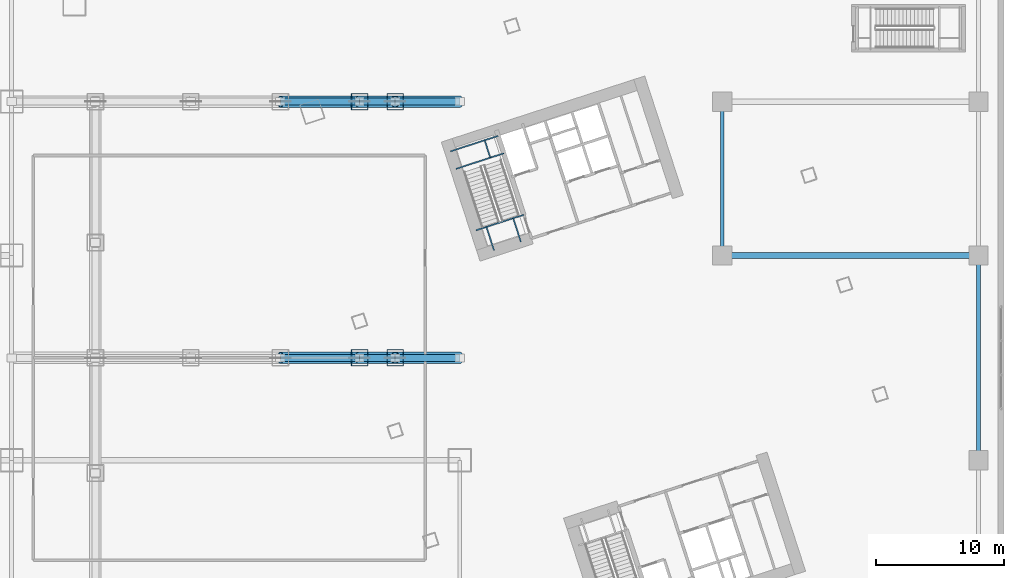
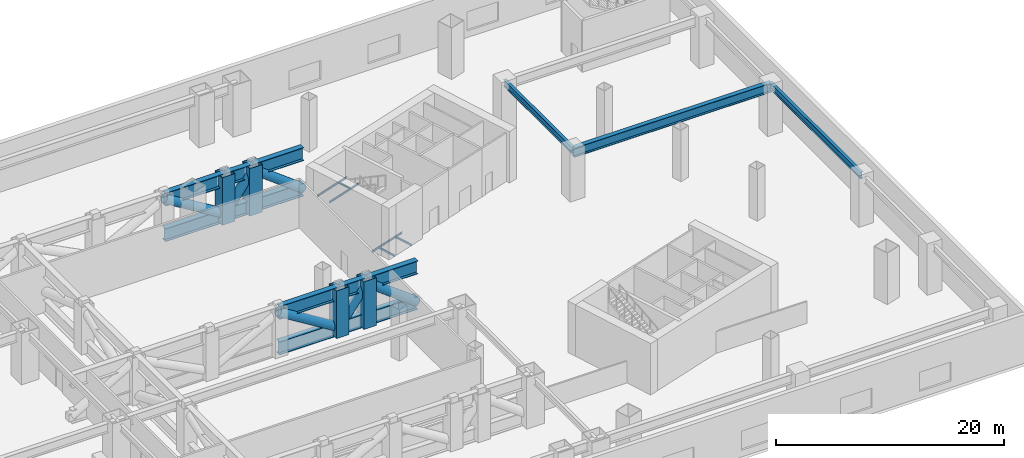
# One storey, part 15 of 34: 21 beams, 10 members.
"""IFC4 building model written with IfcOpenShell, lengths in metres."""

from ifc_helpers import new_model, si_unit, direction, frame, origin, origin_2d, place, context, subcontext, project, spatial, hollow_rectangle, hollow_circle, i_section, extrude, material, material_profile, profile_set, type_object, element, save


model = new_model("IFC4")

# Units and contexts
model_context = context("Model", 3, precision=1e-05, world=origin(), true_north=direction((0.0, 1.0)))
body_context = subcontext(model_context, "Body", "Model", "MODEL_VIEW")
ifc_project = project(units=[si_unit("LENGTHUNIT", "METRE"), si_unit("AREAUNIT", "SQUARE_METRE"), si_unit("VOLUMEUNIT", "CUBIC_METRE"), si_unit("PLANEANGLEUNIT", "RADIAN"), si_unit("MASSUNIT", "GRAM", prefix="KILO")], contexts=[model_context])

# Site, building, storey
site_placement = place(None, origin())
site = spatial("IfcSite", under=ifc_project, at=site_placement, CompositionType="ELEMENT")
building_placement = place(site_placement, origin())
building = spatial("IfcBuilding", under=site, at=building_placement, Name="Qiaolan Cultural Towers", CompositionType="ELEMENT")
storey_placement = place(building_placement, frame((0.0, 0.0, 16.5)))
storey = spatial("IfcBuildingStorey", under=building, at=storey_placement, Name="L03", CompositionType="ELEMENT", Elevation=16.5)

# Beams
ifc_material_1 = material(Name="Steel Q390GJB", Category="steel")
ifc_material_profile_1 = material_profile(ifc_material_1, i_section(OverallWidth=0.449951171875, OverallDepth=1.0, WebThickness=0.02392578125, FlangeThickness=0.0400390625, at=origin_2d()), Name="BH1000x450x24x40")
ifc_profile_set_1 = profile_set([ifc_material_profile_1], Name="Steel Q390GJB")
beam_type_1 = type_object("IfcBeamType", Name="BM-BH1000x450x24x40", PredefinedType="BEAM", material=ifc_profile_set_1)
beam_1_placement = place(storey_placement, frame((98.0, 42.0, 4.699951171875), z_axis=(1.0, 0.0, 0.0), x_axis=(0.0, 1.0, 0.0)))
element("IfcBeam", 1, at=beam_1_placement, inside=storey, type_object=beam_type_1, Name="L03 Podium Primary Girder Y=42.0", PredefinedType="BEAM", context=body_context, shape_type="SweptSolid", body=[
    extrude(i_section(OverallWidth=0.449951171875, OverallDepth=1.0, WebThickness=0.02392578125, FlangeThickness=0.0400390625, at=origin_2d()), origin(), (0.0, 0.0, 1.0), 20.0),
])
ifc_material_2 = material(Name="Steel Q420GJB", Category="steel")
ifc_material_profile_2 = material_profile(ifc_material_2, i_section(OverallWidth=0.550048828125, OverallDepth=1.39990234375, WebThickness=0.031982421875, FlangeThickness=0.050048828125, at=origin_2d()), Name="BH1400x550x32x50")
ifc_profile_set_2 = profile_set([ifc_material_profile_2], Name="Steel Q420GJB")
beam_type_2 = type_object("IfcBeamType", Name="BM-BH1400x550x32x50", PredefinedType="BEAM", material=ifc_profile_set_2)
for number, where, z_axis, x_axis, name in (
    (2, (63.5, 34.0, 0.699951171875), (1.0, 0.0, 0.0), (0.0, 1.0, 0.0), "L03 Podium Transfer Truss 2 Bottom Chord 4"),
    (3, (63.5, 34.0, 4.5), (1.0, 0.0, 0.0), (0.0, 1.0, 0.0), "L03 Podium Transfer Truss 2 Top Chord 4"),
):
    element("IfcBeam", number, at=place(storey_placement, frame(where, z_axis=z_axis, x_axis=x_axis)), inside=storey, type_object=beam_type_2, Name=name, PredefinedType="BEAM", context=body_context, shape_type="SweptSolid", body=[
        extrude(i_section(OverallWidth=0.550048828125, OverallDepth=1.39990234375, WebThickness=0.031982421875, FlangeThickness=0.050048828125, at=origin_2d()), origin(), (0.0, 0.0, 1.0), 6.171875),
    ])
for number, where, z_axis, x_axis, name in (
    (4, (69.671875, 34.0, 0.699951171875), (1.0, 0.0, 0.0), (0.0, 1.0, 0.0), "L03 Podium Transfer Truss 2 Bottom Chord 5"),
    (5, (69.671875, 34.0, 4.5), (1.0, 0.0, 0.0), (0.0, 1.0, 0.0), "L03 Podium Transfer Truss 2 Top Chord 5"),
):
    element("IfcBeam", number, at=place(storey_placement, frame(where, z_axis=z_axis, x_axis=x_axis)), inside=storey, type_object=beam_type_2, Name=name, PredefinedType="BEAM", context=body_context, shape_type="SweptSolid", body=[
        extrude(i_section(OverallWidth=0.550048828125, OverallDepth=1.39990234375, WebThickness=0.031982421875, FlangeThickness=0.050048828125, at=origin_2d()), origin(), (0.0, 0.0, 1.0), 2.78125),
    ])
for number, where, z_axis, x_axis, name in (
    (6, (72.453125, 34.0, 0.699951171875), (1.0, 0.0, 0.0), (0.0, 1.0, 0.0), "L03 Podium Transfer Truss 2 Bottom Chord 6"),
    (7, (72.453125, 34.0, 4.5), (1.0, 0.0, 0.0), (0.0, 1.0, 0.0), "L03 Podium Transfer Truss 2 Top Chord 6"),
):
    element("IfcBeam", number, at=place(storey_placement, frame(where, z_axis=z_axis, x_axis=x_axis)), inside=storey, type_object=beam_type_2, Name=name, PredefinedType="BEAM", context=body_context, shape_type="SweptSolid", body=[
        extrude(i_section(OverallWidth=0.550048828125, OverallDepth=1.39990234375, WebThickness=0.031982421875, FlangeThickness=0.050048828125, at=origin_2d()), origin(), (0.0, 0.0, 1.0), 5.046875),
    ])
for number, where, z_axis, x_axis, name in (
    (8, (63.5, 54.0, 0.699951171875), (1.0, 0.0, 0.0), (0.0, 1.0, 0.0), "L03 Podium Transfer Truss 3 Bottom Chord 4"),
    (9, (63.5, 54.0, 4.5), (1.0, 0.0, 0.0), (0.0, 1.0, 0.0), "L03 Podium Transfer Truss 3 Top Chord 4"),
):
    element("IfcBeam", number, at=place(storey_placement, frame(where, z_axis=z_axis, x_axis=x_axis)), inside=storey, type_object=beam_type_2, Name=name, PredefinedType="BEAM", context=body_context, shape_type="SweptSolid", body=[
        extrude(i_section(OverallWidth=0.550048828125, OverallDepth=1.39990234375, WebThickness=0.031982421875, FlangeThickness=0.050048828125, at=origin_2d()), origin(), (0.0, 0.0, 1.0), 6.171875),
    ])
for number, where, z_axis, x_axis, name in (
    (10, (69.671875, 54.0, 0.699951171875), (1.0, 0.0, 0.0), (0.0, 1.0, 0.0), "L03 Podium Transfer Truss 3 Bottom Chord 5"),
    (11, (69.671875, 54.0, 4.5), (1.0, 0.0, 0.0), (0.0, 1.0, 0.0), "L03 Podium Transfer Truss 3 Top Chord 5"),
):
    element("IfcBeam", number, at=place(storey_placement, frame(where, z_axis=z_axis, x_axis=x_axis)), inside=storey, type_object=beam_type_2, Name=name, PredefinedType="BEAM", context=body_context, shape_type="SweptSolid", body=[
        extrude(i_section(OverallWidth=0.550048828125, OverallDepth=1.39990234375, WebThickness=0.031982421875, FlangeThickness=0.050048828125, at=origin_2d()), origin(), (0.0, 0.0, 1.0), 2.78125),
    ])
for number, where, z_axis, x_axis, name in (
    (12, (72.453125, 54.0, 0.699951171875), (1.0, 0.0, 0.0), (0.0, 1.0, 0.0), "L03 Podium Transfer Truss 3 Bottom Chord 6"),
    (13, (72.453125, 54.0, 4.5), (1.0, 0.0, 0.0), (0.0, 1.0, 0.0), "L03 Podium Transfer Truss 3 Top Chord 6"),
):
    element("IfcBeam", number, at=place(storey_placement, frame(where, z_axis=z_axis, x_axis=x_axis)), inside=storey, type_object=beam_type_2, Name=name, PredefinedType="BEAM", context=body_context, shape_type="SweptSolid", body=[
        extrude(i_section(OverallWidth=0.550048828125, OverallDepth=1.39990234375, WebThickness=0.031982421875, FlangeThickness=0.050048828125, at=origin_2d()), origin(), (0.0, 0.0, 1.0), 5.046875),
    ])
ifc_material_3 = material(Name="Steel Q355B", Category="steel")
ifc_material_profile_3 = material_profile(ifc_material_3, i_section(OverallWidth=0.300048828125, OverallDepth=0.699951171875, WebThickness=0.012939453125, FlangeThickness=0.02392578125, at=origin_2d()), Name="HN700x300x13x24")
ifc_profile_set_3 = profile_set([ifc_material_profile_3], Name="Steel Q355B")
beam_type_3 = type_object("IfcBeamType", Name="BM-HN700x300x13x24", PredefinedType="BEAM", material=ifc_profile_set_3)
beam_2_placement = place(storey_placement, frame((98.0, 42.0, 4.85009765625), z_axis=(0.0, 1.0, 0.0), x_axis=(-1.0, 0.0, 0.0)))
element("IfcBeam", 14, at=beam_2_placement, inside=storey, type_object=beam_type_3, Name="L03 Podium Transverse Beam X=98.0", PredefinedType="BEAM", context=body_context, shape_type="SweptSolid", body=[
    extrude(i_section(OverallWidth=0.300048828125, OverallDepth=0.699951171875, WebThickness=0.012939453125, FlangeThickness=0.02392578125, at=origin_2d()), origin(), (0.0, 0.0, 1.0), 12.0),
])
beam_3_placement = place(storey_placement, frame((118.0, 26.0, 4.85009765625), z_axis=(0.0, 1.0, 0.0), x_axis=(-1.0, 0.0, 0.0)))
element("IfcBeam", 15, at=beam_3_placement, inside=storey, type_object=beam_type_3, Name="L03 Podium Transverse Beam X=118.0", PredefinedType="BEAM", context=body_context, shape_type="SweptSolid", body=[
    extrude(i_section(OverallWidth=0.300048828125, OverallDepth=0.699951171875, WebThickness=0.012939453125, FlangeThickness=0.02392578125, at=origin_2d()), origin(), (0.0, 0.0, 1.0), 16.0),
])
ifc_material_4 = material(Name="Steel Q355B", Category="steel")
ifc_material_profile_4 = material_profile(ifc_material_4, i_section(OverallWidth=0.10009765625, OverallDepth=0.199951171875, WebThickness=0.005615234375, FlangeThickness=0.008056640625, at=origin_2d()), Name="HN200x100x5.5x8")
ifc_profile_set_4 = profile_set([ifc_material_profile_4], Name="Steel Q355B")
beam_type_4 = type_object("IfcBeamType", Name="BM-STTRIM-200", PredefinedType="BEAM", material=ifc_profile_set_4)
beam_4_placement = place(storey_placement, frame((78.773193359375, 43.958251953125, -0.4599609375), z_axis=(0.951072048947, 0.3089691857, 0.0), x_axis=(-0.3089691857, 0.951072048947, 0.0)))
element("IfcBeam", 16, at=beam_4_placement, inside=storey, type_object=beam_type_4, Name="L03 ST-E2 Floor Landing Header Beam", PredefinedType="BEAM", context=body_context, shape_type="SweptSolid", body=[
    extrude(i_section(OverallWidth=0.10009765625, OverallDepth=0.199951171875, WebThickness=0.005615234375, FlangeThickness=0.008056640625, at=origin_2d()), origin(), (0.0, 0.0, 1.0), 3.920166015625),
])
for number, where, z_axis, x_axis, name in (
    (17, (80.18115234375, 42.375732421875, -0.4599609375), (-0.308969394428, 0.951071981138, 0.0), (-0.951071981138, -0.308969394428, 0.0), "L03 ST-E2 Floor Landing Stringer 1"),
    (18, (82.2734375, 43.0556640625, -0.4599609375), (-0.308969394428, 0.951071981138, 0.0), (-0.951071981138, -0.308969394428, 0.0), "L03 ST-E2 Floor Landing Stringer 2"),
):
    element("IfcBeam", number, at=place(storey_placement, frame(where, z_axis=z_axis, x_axis=x_axis)), inside=storey, type_object=beam_type_4, Name=name, PredefinedType="BEAM", context=body_context, shape_type="SweptSolid", body=[
        extrude(i_section(OverallWidth=0.10009765625, OverallDepth=0.199951171875, WebThickness=0.005615234375, FlangeThickness=0.008056640625, at=origin_2d()), origin(), (0.0, 0.0, 1.0), 1.93994140625),
    ])
for number, where, z_axis, x_axis, name in (
    (19, (77.213134765625, 48.759765625, 2.449951171875), (0.951053746643, 0.309025518358, 0.0), (-0.309025518358, 0.951053746643, 0.0), "L03 ST-E2 Stair Landing Support Beam 1-1"),
    (20, (76.770751953125, 50.12109375, 2.449951171875), (0.951072048947, 0.3089691857, 0.0), (-0.3089691857, 0.951072048947, 0.0), "L03 ST-E2 Stair Landing Support Beam 1-2"),
):
    element("IfcBeam", number, at=place(storey_placement, frame(where, z_axis=z_axis, x_axis=x_axis)), inside=storey, type_object=beam_type_4, Name=name, PredefinedType="BEAM", context=body_context, shape_type="SweptSolid", body=[
        extrude(i_section(OverallWidth=0.10009765625, OverallDepth=0.199951171875, WebThickness=0.005615234375, FlangeThickness=0.008056640625, at=origin_2d()), origin(), (0.0, 0.0, 1.0), 3.920166015625),
    ])
beam_5_placement = place(storey_placement, frame((79.8857421875, 49.628173828125, 2.449951171875), z_axis=(-0.309105358644, 0.951027800465, 0.0), x_axis=(-0.951027800465, -0.309105358644, 0.0)))
element("IfcBeam", 21, at=beam_5_placement, inside=storey, type_object=beam_type_4, Name="L03 ST-E2 Stair Landing Trimmer 1", PredefinedType="BEAM", context=body_context, shape_type="SweptSolid", body=[
    extrude(i_section(OverallWidth=0.10009765625, OverallDepth=0.199951171875, WebThickness=0.005615234375, FlangeThickness=0.008056640625, at=origin_2d()), origin(), (0.0, 0.0, 1.0), 1.43115234375),
])

# Members
ifc_material_5 = material(Name="Steel Q390GJB", Category="steel")
ifc_material_profile_5 = material_profile(ifc_material_5, hollow_circle(Radius=0.449951171875, WallThickness=0.044921875, at=origin_2d()), Name="CHS900x45")
ifc_profile_set_5 = profile_set([ifc_material_profile_5], Name="Steel Q390GJB")
member_type_1 = type_object("IfcMemberType", Name="MBR-BRC-CHS900x45", PredefinedType="BRACE", material=ifc_profile_set_5)
member_1_placement = place(storey_placement, frame((63.5, 34.0, 4.5), z_axis=(0.851536857202, 0.0, -0.524294746137), x_axis=(0.0, 1.0, 0.0)))
element("IfcMember", 22, at=member_1_placement, inside=storey, type_object=member_type_1, Name="L03 Podium Transfer Truss 2 Diagonal 4", PredefinedType="BRACE", context=body_context, shape_type="SweptSolid", body=[
    extrude(hollow_circle(Radius=0.449951171875, WallThickness=0.044921875, at=origin_2d()), origin(), (0.0, 0.0, 1.0), 7.247802734375),
])
member_2_placement = place(storey_placement, frame((69.671875, 34.0, 0.699951171875), z_axis=(0.590610464537, 0.0, 0.806956801309), x_axis=(0.0, 1.0, 0.0)))
element("IfcMember", 23, at=member_2_placement, inside=storey, type_object=member_type_1, Name="L03 Podium Transfer Truss 2 Diagonal 5", PredefinedType="BRACE", context=body_context, shape_type="SweptSolid", body=[
    extrude(hollow_circle(Radius=0.449951171875, WallThickness=0.044921875, at=origin_2d()), origin(), (0.0, 0.0, 1.0), 4.709228515625),
])
member_3_placement = place(storey_placement, frame((72.453125, 34.0, 4.5), z_axis=(0.798867055174, 0.0, -0.601507629343), x_axis=(0.0, 1.0, 0.0)))
element("IfcMember", 24, at=member_3_placement, inside=storey, type_object=member_type_1, Name="L03 Podium Transfer Truss 2 Diagonal 6", PredefinedType="BRACE", context=body_context, shape_type="SweptSolid", body=[
    extrude(hollow_circle(Radius=0.449951171875, WallThickness=0.044921875, at=origin_2d()), origin(), (0.0, 0.0, 1.0), 6.317626953125),
])
member_4_placement = place(storey_placement, frame((63.5, 54.0, 4.5), z_axis=(0.851536857202, 0.0, -0.524294746137), x_axis=(0.0, 1.0, 0.0)))
element("IfcMember", 25, at=member_4_placement, inside=storey, type_object=member_type_1, Name="L03 Podium Transfer Truss 3 Diagonal 4", PredefinedType="BRACE", context=body_context, shape_type="SweptSolid", body=[
    extrude(hollow_circle(Radius=0.449951171875, WallThickness=0.044921875, at=origin_2d()), origin(), (0.0, 0.0, 1.0), 7.247802734375),
])
member_5_placement = place(storey_placement, frame((69.671875, 54.0, 0.699951171875), z_axis=(0.590610464537, 0.0, 0.806956801309), x_axis=(0.0, 1.0, 0.0)))
element("IfcMember", 26, at=member_5_placement, inside=storey, type_object=member_type_1, Name="L03 Podium Transfer Truss 3 Diagonal 5", PredefinedType="BRACE", context=body_context, shape_type="SweptSolid", body=[
    extrude(hollow_circle(Radius=0.449951171875, WallThickness=0.044921875, at=origin_2d()), origin(), (0.0, 0.0, 1.0), 4.709228515625),
])
member_6_placement = place(storey_placement, frame((72.453125, 54.0, 4.5), z_axis=(0.798867055174, 0.0, -0.601507629343), x_axis=(0.0, 1.0, 0.0)))
element("IfcMember", 27, at=member_6_placement, inside=storey, type_object=member_type_1, Name="L03 Podium Transfer Truss 3 Diagonal 6", PredefinedType="BRACE", context=body_context, shape_type="SweptSolid", body=[
    extrude(hollow_circle(Radius=0.449951171875, WallThickness=0.044921875, at=origin_2d()), origin(), (0.0, 0.0, 1.0), 6.317626953125),
])
ifc_material_6 = material(Name="Steel Q390GJB", Category="steel")
ifc_material_profile_6 = material_profile(ifc_material_6, hollow_rectangle(XDim=1.300048828125, YDim=1.300048828125, WallThickness=0.044921875, at=origin_2d()), Name="BOX1300x1300x45")
ifc_profile_set_6 = profile_set([ifc_material_profile_6], Name="Steel Q390GJB")
member_type_2 = type_object("IfcMemberType", Name="MBR-POST-BOX1300x1300x45", PredefinedType="STUD", material=ifc_profile_set_6)
for number, where, z_axis, x_axis, name in (
    (28, (69.671875, 34.0, 0.050048828125), (0.0, 0.0, 1.0), (1.0, 0.0, 0.0), "L03 Podium Transfer Truss 2 Vertical Web 4"),
    (29, (72.453125, 34.0, 0.050048828125), (0.0, 0.0, 1.0), (1.0, 0.0, 0.0), "L03 Podium Transfer Truss 2 Vertical Web 5"),
    (30, (69.671875, 54.0, 0.050048828125), (0.0, 0.0, 1.0), (1.0, 0.0, 0.0), "L03 Podium Transfer Truss 3 Vertical Web 4"),
    (31, (72.453125, 54.0, 0.050048828125), (0.0, 0.0, 1.0), (1.0, 0.0, 0.0), "L03 Podium Transfer Truss 3 Vertical Web 5"),
):
    element("IfcMember", number, at=place(storey_placement, frame(where, z_axis=z_axis, x_axis=x_axis)), inside=storey, type_object=member_type_2, Name=name, PredefinedType="STUD", context=body_context, shape_type="SweptSolid", body=[
        extrude(hollow_rectangle(XDim=1.300048828125, YDim=1.300048828125, WallThickness=0.044921875, at=origin_2d()), origin(), (0.0, 0.0, 1.0), 5.099853515625),
    ])

save(model, "model.ifc")
